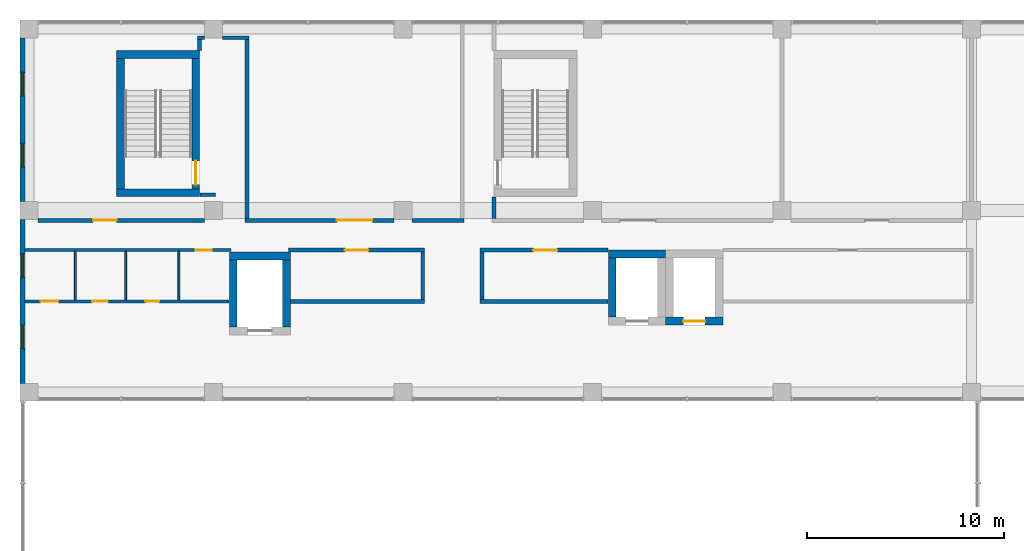
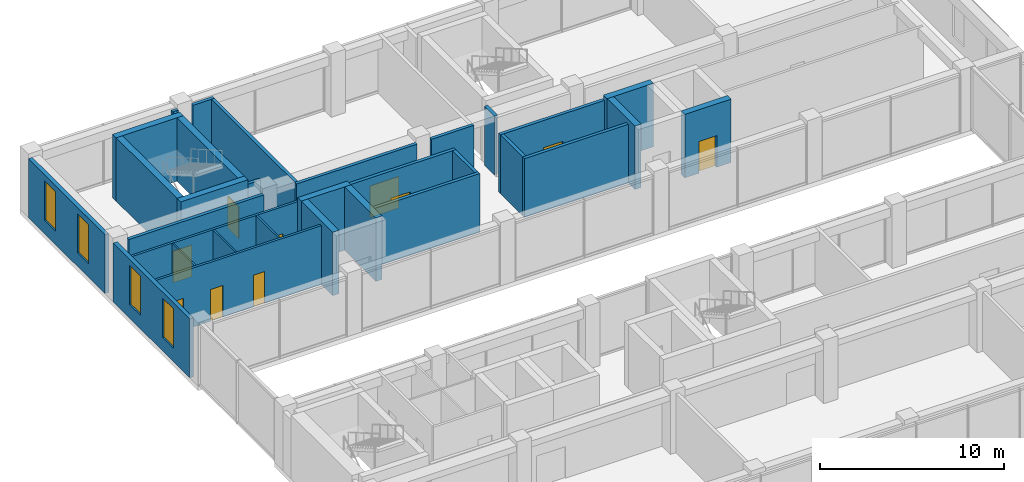
# One storey, part 29 of 37: 32 walls, 10 doors, 4 windows, 14 openings.
"""IFC4 building model written with IfcOpenShell, lengths in metres."""

from ifc_helpers import new_model, si_unit, direction, frame, frame_2d, origin, place, context, subcontext, project, spatial, rectangle, extrude, material, layer, layer_set, layer_usage, type_object, element, fill, save


model = new_model("IFC4")

# Units and contexts
model_context = context("Model", 3, precision=1e-05, world=origin(), true_north=direction((0.0, 1.0)))
body_context = subcontext(model_context, "Body", "Model", "MODEL_VIEW")
ifc_project = project(units=[si_unit("LENGTHUNIT", "METRE"), si_unit("AREAUNIT", "SQUARE_METRE"), si_unit("VOLUMEUNIT", "CUBIC_METRE"), si_unit("PLANEANGLEUNIT", "RADIAN"), si_unit("MASSUNIT", "GRAM", prefix="KILO")], contexts=[model_context])

# Site, building, storey
site_placement = place(None, origin())
site = spatial("IfcSite", under=ifc_project, at=site_placement, CompositionType="ELEMENT")
building_placement = place(site_placement, origin())
building = spatial("IfcBuilding", under=site, at=building_placement, Name="Nzadi Deep Aquarium and Research Tower", CompositionType="ELEMENT")
storey_placement = place(building_placement, frame((0.0, 0.0, 57.10009765625)))
storey = spatial("IfcBuildingStorey", under=building, at=storey_placement, Name="L11", CompositionType="ELEMENT", Elevation=57.10009765625)

# Wall, openings, windows
ifc_material_1 = material(Name="Concrete C35/45", Category="concrete")
ifc_layer_1 = layer(ifc_material_1, 0.14990234375, Category="cladding")
ifc_material_2 = material(Name="Mineral wool insulation")
ifc_layer_2 = layer(ifc_material_2, 0.070068359375, Category="insulation")
ifc_material_3 = material(Name="Gypsum board lining")
ifc_layer_3 = layer(ifc_material_3, 0.030029296875, Category="lining")
ifc_layer_set_1 = layer_set([ifc_layer_1, ifc_layer_2, ifc_layer_3], Name="Concrete C35/45, Mineral wool insulation, Gypsum board lining")
ifc_layer_usage_1 = layer_usage(ifc_layer_set_1, "AXIS2", "POSITIVE", -0.125)
wall_type_1 = type_object("IfcWallType", Name="End wall board-formed concrete 250", PredefinedType="ELEMENTEDWALL", material=ifc_layer_set_1)
wall_1_placement = place(storey_placement, frame((-0.074462890625, 45.550048828125, 0.0), z_axis=(0.0, 0.0, 1.0), x_axis=(0.0, -1.0, 0.0)))
wall_1 = element("IfcWall", 1, at=wall_1_placement, inside=storey, type_object=wall_type_1, material=ifc_layer_usage_1, Name="End wall blade B west L11", PredefinedType="ELEMENTEDWALL", context=body_context, shape_type="SweptSolid", body=[
    extrude(rectangle(XDim=8.300048828125, YDim=0.25, at=frame_2d((4.14990234375, 0.0))), origin(), (0.0, 0.0, 1.0), 3.89990234375),
])
opening_1_placement = place(wall_1_placement, frame((5.35009765625, 0.0, 0.89990234375)))
opening_1 = element("IfcOpeningElement", 2, at=opening_1_placement, cuts=wall_1, Name="Opening WN04", PredefinedType="OPENING", context=body_context, shape_type="SweptSolid", body=[
    extrude(rectangle(XDim=1.199951171875, YDim=2.60009765625, at=frame_2d((0.60009765625, 1.300048828125))), frame((0.0, 0.135009765625, 0.0), z_axis=(0.0, -1.0, 0.0), x_axis=(1.0, 0.0, 0.0)), (0.0, 0.0, 1.0), 0.27001953125),
])
opening_2_placement = place(wall_1_placement, frame((1.75, 0.0, 0.89990234375)))
opening_2 = element("IfcOpeningElement", 3, at=opening_2_placement, cuts=wall_1, Name="Opening WN04", PredefinedType="OPENING", context=body_context, shape_type="SweptSolid", body=[
    extrude(rectangle(XDim=1.199951171875, YDim=2.60009765625, at=frame_2d((0.60009765625, 1.300048828125))), frame((0.0, 0.135009765625, 0.0), z_axis=(0.0, -1.0, 0.0), x_axis=(1.0, 0.0, 0.0)), (0.0, 0.0, 1.0), 0.27001953125),
])
ifc_material_4 = material(Name="Aluminium window, sage tint glazing", Category="aluminium")
window_type = type_object("IfcWindowType", Name="Slot window 1200x2600 sill 900", PartitioningType="SINGLE_PANEL", PredefinedType="WINDOW", material=ifc_material_4)
window_1_placement = place(opening_1_placement, origin())
window_1 = element("IfcWindow", 4, at=window_1_placement, inside=storey, type_object=window_type, Name="Slot window L11 BW", OverallHeight=2.60009765625, OverallWidth=1.199951171875, PartitioningType="SINGLE_PANEL", PredefinedType="WINDOW", context=body_context, shape_type="SweptSolid", body=[
    extrude(rectangle(XDim=1.199951171875, YDim=2.60009765625, at=frame_2d((0.60009765625, 1.300048828125))), frame((0.0, 0.030029296875, 0.0), z_axis=(0.0, -1.0, 0.0), x_axis=(1.0, 0.0, 0.0)), (0.0, 0.0, 1.0), 0.06005859375),
])
fill(opening_1, window_1)
window_2_placement = place(opening_2_placement, origin())
window_2 = element("IfcWindow", 5, at=window_2_placement, inside=storey, type_object=window_type, Name="Slot window L11 BW", OverallHeight=2.60009765625, OverallWidth=1.199951171875, PartitioningType="SINGLE_PANEL", PredefinedType="WINDOW", context=body_context, shape_type="SweptSolid", body=[
    extrude(rectangle(XDim=1.199951171875, YDim=2.60009765625, at=frame_2d((0.60009765625, 1.300048828125))), frame((0.0, 0.030029296875, 0.0), z_axis=(0.0, -1.0, 0.0), x_axis=(1.0, 0.0, 0.0)), (0.0, 0.0, 1.0), 0.06005859375),
])
fill(opening_2, window_2)

ifc_material_5 = material(Name="Graphite aluminium shingle", Category="aluminium")
ifc_layer_4 = layer(ifc_material_5, 0.050048828125, Category="cladding")
ifc_layer_5 = layer(ifc_material_1, 0.10009765625, Category="cladding")
ifc_layer_6 = layer(ifc_material_2, 0.070068359375, Category="insulation")
ifc_layer_7 = layer(ifc_material_3, 0.030029296875, Category="lining")
ifc_layer_set_2 = layer_set([ifc_layer_4, ifc_layer_5, ifc_layer_6, ifc_layer_7], Name="Graphite aluminium shingle, Concrete C35/45, Mineral wool insulation, Gypsum board lining")
ifc_layer_usage_2 = layer_usage(ifc_layer_set_2, "AXIS2", "POSITIVE", -0.125)
wall_type_2 = type_object("IfcWallType", Name="End wall shingle over board-formed concrete 250", PredefinedType="ELEMENTEDWALL", material=ifc_layer_set_2)
wall_2_placement = place(storey_placement, frame((-0.074462890625, 36.35009765625, 0.0), z_axis=(0.0, 0.0, 1.0), x_axis=(0.0, -1.0, 0.0)))
wall_2 = element("IfcWall", 6, at=wall_2_placement, inside=storey, type_object=wall_type_2, material=ifc_layer_usage_2, Name="End wall blade B west L11", PredefinedType="ELEMENTEDWALL", context=body_context, shape_type="SweptSolid", body=[
    extrude(rectangle(XDim=8.300048828125, YDim=0.25, at=frame_2d((4.14990234375, 0.0))), origin(), (0.0, 0.0, 1.0), 3.89990234375),
])
opening_3_placement = place(wall_2_placement, frame((5.35009765625, 0.0, 0.89990234375)))
opening_3 = element("IfcOpeningElement", 7, at=opening_3_placement, cuts=wall_2, Name="Opening WN04", PredefinedType="OPENING", context=body_context, shape_type="SweptSolid", body=[
    extrude(rectangle(XDim=1.199951171875, YDim=2.60009765625, at=frame_2d((0.60009765625, 1.300048828125))), frame((0.0, 0.135009765625, 0.0), z_axis=(0.0, -1.0, 0.0), x_axis=(1.0, 0.0, 0.0)), (0.0, 0.0, 1.0), 0.27001953125),
])
opening_4_placement = place(wall_2_placement, frame((1.75, 0.0, 0.89990234375)))
opening_4 = element("IfcOpeningElement", 8, at=opening_4_placement, cuts=wall_2, Name="Opening WN04", PredefinedType="OPENING", context=body_context, shape_type="SweptSolid", body=[
    extrude(rectangle(XDim=1.199951171875, YDim=2.60009765625, at=frame_2d((0.60009765625, 1.300048828125))), frame((0.0, 0.135009765625, 0.0), z_axis=(0.0, -1.0, 0.0), x_axis=(1.0, 0.0, 0.0)), (0.0, 0.0, 1.0), 0.27001953125),
])
window_3_placement = place(opening_3_placement, origin())
window_3 = element("IfcWindow", 9, at=window_3_placement, inside=storey, type_object=window_type, Name="Slot window L11 BW", OverallHeight=2.60009765625, OverallWidth=1.199951171875, PartitioningType="SINGLE_PANEL", PredefinedType="WINDOW", context=body_context, shape_type="SweptSolid", body=[
    extrude(rectangle(XDim=1.199951171875, YDim=2.60009765625, at=frame_2d((0.60009765625, 1.300048828125))), frame((0.0, 0.030029296875, 0.0), z_axis=(0.0, -1.0, 0.0), x_axis=(1.0, 0.0, 0.0)), (0.0, 0.0, 1.0), 0.06005859375),
])
fill(opening_3, window_3)
window_4_placement = place(opening_4_placement, origin())
window_4 = element("IfcWindow", 10, at=window_4_placement, inside=storey, type_object=window_type, Name="Slot window L11 BW", OverallHeight=2.60009765625, OverallWidth=1.199951171875, PartitioningType="SINGLE_PANEL", PredefinedType="WINDOW", context=body_context, shape_type="SweptSolid", body=[
    extrude(rectangle(XDim=1.199951171875, YDim=2.60009765625, at=frame_2d((0.60009765625, 1.300048828125))), frame((0.0, 0.030029296875, 0.0), z_axis=(0.0, -1.0, 0.0), x_axis=(1.0, 0.0, 0.0)), (0.0, 0.0, 1.0), 0.06005859375),
])
fill(opening_4, window_4)

# Walls
ifc_material_6 = material(Name="Blockwork masonry", Category="masonry")
ifc_layer_8 = layer(ifc_material_6, 0.10009765625)
ifc_layer_set_3 = layer_set([ifc_layer_8], Name="Blockwork masonry")
wall_type_3 = type_object("IfcWallType", Name="Partition 100 EI 30", PredefinedType="PARTITIONING", material=ifc_layer_set_3)
for number, where, z_axis, x_axis, name in (
    (11, (2.60009765625, 32.27490234375, 0.0), (0.0, 0.0, 1.0), (0.0, 1.0, 0.0), "W-Z1-L11-P004"),
    (12, (5.14990234375, 32.27490234375, 0.0), (0.0, 0.0, 1.0), (0.0, 1.0, 0.0), "W-Z1-L11-P007"),
    (13, (7.85009765625, 32.27490234375, 0.0), (0.0, 0.0, 1.0), (0.0, 1.0, 0.0), "W-Z1-L11-P011"),
):
    element("IfcWall", number, at=place(storey_placement, frame(where, z_axis=z_axis, x_axis=x_axis)), inside=storey, type_object=wall_type_3, Name=name, PredefinedType="PARTITIONING", context=body_context, shape_type="SweptSolid", body=[
        extrude(rectangle(XDim=2.4501953125, YDim=0.10009765625, at=frame_2d((1.22509765625, 0.0))), origin(), (0.0, 0.0, 1.0), 3.89990234375),
    ])

# Wall, openings, doors
ifc_material_7 = material(Name="Blockwork masonry", Category="masonry")
ifc_layer_9 = layer(ifc_material_7, 0.14990234375)
ifc_layer_set_4 = layer_set([ifc_layer_9], Name="Blockwork masonry")
wall_type_4 = type_object("IfcWallType", Name="Partition 150 EI 60", PredefinedType="PARTITIONING", material=ifc_layer_set_4)
wall_3_placement = place(storey_placement, frame((0.055908203125, 32.199951171875, 0.0), z_axis=(0.0, 0.0, 1.0), x_axis=(1.0, 0.0, 0.0)))
wall_3 = element("IfcWall", 14, at=wall_3_placement, inside=storey, type_object=wall_type_4, Name="W-Z1-L11-P001", PredefinedType="PARTITIONING", context=body_context, shape_type="SweptSolid", body=[
    extrude(rectangle(XDim=10.338134765625, YDim=0.14990234375, at=frame_2d((5.1689453125, 0.0))), origin(), (0.0, 0.0, 1.0), 3.89990234375),
])
opening_5_placement = place(wall_3_placement, frame((0.7939453125, 0.0, 0.0)))
opening_5 = element("IfcOpeningElement", 15, at=opening_5_placement, cuts=wall_3, Name="Opening D121011", PredefinedType="OPENING", context=body_context, shape_type="SweptSolid", body=[
    extrude(rectangle(XDim=0.89990234375, YDim=2.10009765625, at=frame_2d((0.449951171875, 1.050048828125))), frame((0.0, 0.0849609375, 0.0), z_axis=(0.0, -1.0, 0.0), x_axis=(1.0, 0.0, 0.0)), (0.0, 0.0, 1.0), 0.169921875),
])
opening_6_placement = place(wall_3_placement, frame((3.39404296875, 0.0, 0.0)))
opening_6 = element("IfcOpeningElement", 16, at=opening_6_placement, cuts=wall_3, Name="Opening D121012", PredefinedType="OPENING", context=body_context, shape_type="SweptSolid", body=[
    extrude(rectangle(XDim=0.800048828125, YDim=2.10009765625, at=frame_2d((0.39990234375, 1.050048828125))), frame((0.0, 0.0849609375, 0.0), z_axis=(0.0, -1.0, 0.0), x_axis=(1.0, 0.0, 0.0)), (0.0, 0.0, 1.0), 0.169921875),
])
opening_7_placement = place(wall_3_placement, frame((6.093994140625, 0.0, 0.0)))
opening_7 = element("IfcOpeningElement", 17, at=opening_7_placement, cuts=wall_3, Name="Opening D121013", PredefinedType="OPENING", context=body_context, shape_type="SweptSolid", body=[
    extrude(rectangle(XDim=0.699951171875, YDim=2.10009765625, at=frame_2d((0.35009765625, 1.050048828125))), frame((0.0, 0.0849609375, 0.0), z_axis=(0.0, -1.0, 0.0), x_axis=(1.0, 0.0, 0.0)), (0.0, 0.0, 1.0), 0.169921875),
])
ifc_material_8 = material(Name="Fire-rated steel door", Category="steel")
ifc_layer_10 = layer(ifc_material_8, 0.050048828125)
ifc_layer_set_5 = layer_set([ifc_layer_10], Name="Fire-rated steel door")
door_type_1 = type_object("IfcDoorType", Name="Door 700x2100 EI 60 single", OperationType="SINGLE_SWING_LEFT", PredefinedType="DOOR", material=ifc_layer_set_5)
door_1_placement = place(opening_7_placement, origin())
door_1 = element("IfcDoor", 18, at=door_1_placement, inside=storey, type_object=door_type_1, Name="D121013", OperationType="SINGLE_SWING_RIGHT", OverallHeight=2.10009765625, OverallWidth=0.699951171875, PredefinedType="DOOR", context=body_context, shape_type="SweptSolid", body=[
    extrude(rectangle(XDim=0.699951171875, YDim=2.10009765625, at=frame_2d((0.35009765625, 1.050048828125))), frame((0.0, 0.02490234375, 0.0), z_axis=(0.0, -1.0, 0.0), x_axis=(1.0, 0.0, 0.0)), (0.0, 0.0, 1.0), 0.050048828125),
])
fill(opening_7, door_1)
ifc_material_9 = material(Name="Fire-rated steel door", Category="steel")
ifc_layer_11 = layer(ifc_material_9, 0.050048828125)
ifc_layer_set_6 = layer_set([ifc_layer_11], Name="Fire-rated steel door")
door_type_2 = type_object("IfcDoorType", Name="Door 800x2100 EI 60 single", OperationType="SINGLE_SWING_LEFT", PredefinedType="DOOR", material=ifc_layer_set_6)
door_2_placement = place(opening_6_placement, origin())
door_2 = element("IfcDoor", 19, at=door_2_placement, inside=storey, type_object=door_type_2, Name="D121012", OperationType="SINGLE_SWING_RIGHT", OverallHeight=2.10009765625, OverallWidth=0.800048828125, PredefinedType="DOOR", context=body_context, shape_type="SweptSolid", body=[
    extrude(rectangle(XDim=0.800048828125, YDim=2.10009765625, at=frame_2d((0.39990234375, 1.050048828125))), frame((0.0, 0.02490234375, 0.0), z_axis=(0.0, -1.0, 0.0), x_axis=(1.0, 0.0, 0.0)), (0.0, 0.0, 1.0), 0.050048828125),
])
fill(opening_6, door_2)
ifc_material_10 = material(Name="Fire-rated steel door", Category="steel")
ifc_layer_12 = layer(ifc_material_10, 0.050048828125)
ifc_layer_set_7 = layer_set([ifc_layer_12], Name="Fire-rated steel door")
door_type_3 = type_object("IfcDoorType", Name="Door 900x2100 EI 60 single", OperationType="SINGLE_SWING_LEFT", PredefinedType="DOOR", material=ifc_layer_set_7)
door_3_placement = place(opening_5_placement, origin())
door_3 = element("IfcDoor", 20, at=door_3_placement, inside=storey, type_object=door_type_3, Name="D121011", OperationType="SINGLE_SWING_RIGHT", OverallHeight=2.10009765625, OverallWidth=0.89990234375, PredefinedType="DOOR", context=body_context, shape_type="SweptSolid", body=[
    extrude(rectangle(XDim=0.89990234375, YDim=2.10009765625, at=frame_2d((0.449951171875, 1.050048828125))), frame((0.0, 0.02490234375, 0.0), z_axis=(0.0, -1.0, 0.0), x_axis=(1.0, 0.0, 0.0)), (0.0, 0.0, 1.0), 0.050048828125),
])
fill(opening_5, door_3)

# Wall, opening, door
wall_4_placement = place(storey_placement, frame((0.055908203125, 34.800048828125, 0.0), z_axis=(0.0, 0.0, 1.0), x_axis=(1.0, 0.0, 0.0)))
wall_4 = element("IfcWall", 21, at=wall_4_placement, inside=storey, type_object=wall_type_4, Name="W-Z1-L11-P002", PredefinedType="PARTITIONING", context=body_context, shape_type="SweptSolid", body=[
    extrude(rectangle(XDim=10.419189453125, YDim=0.14990234375, at=frame_2d((5.20947265625, 0.0))), origin(), (0.0, 0.0, 1.0), 3.89990234375),
])
opening_8_placement = place(wall_4_placement, frame((8.64404296875, 0.0, 0.0)))
opening_8 = element("IfcOpeningElement", 22, at=opening_8_placement, cuts=wall_4, Name="Opening D121014", PredefinedType="OPENING", context=body_context, shape_type="SweptSolid", body=[
    extrude(rectangle(XDim=0.800048828125, YDim=2.10009765625, at=frame_2d((0.39990234375, 1.050048828125))), frame((0.0, 0.0849609375, 0.0), z_axis=(0.0, -1.0, 0.0), x_axis=(1.0, 0.0, 0.0)), (0.0, 0.0, 1.0), 0.169921875),
])
door_4_placement = place(opening_8_placement, origin())
door_4 = element("IfcDoor", 23, at=door_4_placement, inside=storey, type_object=door_type_2, Name="D121014", OperationType="SINGLE_SWING_LEFT", OverallHeight=2.10009765625, OverallWidth=0.800048828125, PredefinedType="DOOR", context=body_context, shape_type="SweptSolid", body=[
    extrude(rectangle(XDim=0.800048828125, YDim=2.10009765625, at=frame_2d((0.39990234375, 1.050048828125))), frame((0.0, 0.02490234375, 0.0), z_axis=(0.0, -1.0, 0.0), x_axis=(1.0, 0.0, 0.0)), (0.0, 0.0, 1.0), 0.050048828125),
])
fill(opening_8, door_4)

ifc_material_11 = material(Name="Blockwork masonry", Category="masonry")
ifc_layer_13 = layer(ifc_material_11, 0.199951171875)
ifc_layer_set_8 = layer_set([ifc_layer_13], Name="Blockwork masonry")
wall_type_5 = type_object("IfcWallType", Name="Partition 200 EI 120", PredefinedType="PARTITIONING", material=ifc_layer_set_8)
wall_5_placement = place(storey_placement, frame((0.699951171875, 36.300048828125, 0.0), z_axis=(0.0, 0.0, 1.0), x_axis=(1.0, 0.0, 0.0)))
wall_5 = element("IfcWall", 24, at=wall_5_placement, inside=storey, type_object=wall_type_5, Name="W-Z1-L11-P003", PredefinedType="PARTITIONING", context=body_context, shape_type="SweptSolid", body=[
    extrude(rectangle(XDim=8.449951171875, YDim=0.199951171875, at=frame_2d((4.22509765625, 0.0))), origin(), (0.0, 0.0, 1.0), 3.89990234375),
])
opening_9_placement = place(wall_5_placement, frame((2.800048828125, 0.0, 0.0)))
opening_9 = element("IfcOpeningElement", 25, at=opening_9_placement, cuts=wall_5, Name="Opening D121018", PredefinedType="OPENING", context=body_context, shape_type="SweptSolid", body=[
    extrude(rectangle(XDim=1.199951171875, YDim=2.10009765625, at=frame_2d((0.60009765625, 1.050048828125))), frame((0.0, 0.110107421875, 0.0), z_axis=(0.0, -1.0, 0.0), x_axis=(1.0, 0.0, 0.0)), (0.0, 0.0, 1.0), 0.22021484375),
])
ifc_material_12 = material(Name="Fire-rated steel door", Category="steel")
ifc_layer_14 = layer(ifc_material_12, 0.050048828125)
ifc_layer_set_9 = layer_set([ifc_layer_14], Name="Fire-rated steel door")
door_type_4 = type_object("IfcDoorType", Name="Door 1200x2100 EI 120 single", OperationType="SINGLE_SWING_LEFT", PredefinedType="DOOR", material=ifc_layer_set_9)
door_5_placement = place(opening_9_placement, origin())
door_5 = element("IfcDoor", 26, at=door_5_placement, inside=storey, type_object=door_type_4, Name="D121018", OperationType="SINGLE_SWING_RIGHT", OverallHeight=2.10009765625, OverallWidth=1.199951171875, PredefinedType="DOOR", context=body_context, shape_type="SweptSolid", body=[
    extrude(rectangle(XDim=1.199951171875, YDim=2.10009765625, at=frame_2d((0.60009765625, 1.050048828125))), frame((0.0, 0.02490234375, 0.0), z_axis=(0.0, -1.0, 0.0), x_axis=(1.0, 0.0, 0.0)), (0.0, 0.0, 1.0), 0.050048828125),
])
fill(opening_9, door_5)

# Walls
wall_6_placement = place(storey_placement, frame((8.89990234375, 44.906005859375, 0.0), z_axis=(0.0, 0.0, 1.0), x_axis=(0.0, 1.0, 0.0)))
element("IfcWall", 27, at=wall_6_placement, inside=storey, type_object=wall_type_5, Name="W-Z1-L11-P014", PredefinedType="PARTITIONING", context=body_context, shape_type="SweptSolid", body=[
    extrude(rectangle(XDim=0.5439453125, YDim=0.199951171875, at=frame_2d((0.27197265625, 0.0))), origin(), (0.0, 0.0, 1.0), 3.89990234375),
])
wall_7_placement = place(storey_placement, frame((8.800048828125, 45.550048828125, 0.0), z_axis=(0.0, 0.0, 1.0), x_axis=(1.0, 0.0, 0.0)))
element("IfcWall", 28, at=wall_7_placement, inside=storey, type_object=wall_type_5, Name="W-Z1-L11-P015", PredefinedType="PARTITIONING", context=body_context, shape_type="SweptSolid", body=[
    extrude(rectangle(XDim=0.349853515625, YDim=0.199951171875, at=frame_2d((0.1748046875, 0.0))), origin(), (0.0, 0.0, 1.0), 3.89990234375),
])
wall_8_placement = place(storey_placement, frame((8.906005859375, 37.60009765625, 0.0), z_axis=(0.0, 0.0, 1.0), x_axis=(1.0, 0.0, 0.0)))
element("IfcWall", 29, at=wall_8_placement, inside=storey, type_object=wall_type_5, Name="W-Z1-L11-P016", PredefinedType="PARTITIONING", context=body_context, shape_type="SweptSolid", body=[
    extrude(rectangle(XDim=0.7939453125, YDim=0.199951171875, at=frame_2d((0.39697265625, 0.0))), origin(), (0.0, 0.0, 1.0), 3.89990234375),
])
wall_9_placement = place(storey_placement, frame((10.050048828125, 45.550048828125, 0.0), z_axis=(0.0, 0.0, 1.0), x_axis=(1.0, 0.0, 0.0)))
element("IfcWall", 30, at=wall_9_placement, inside=storey, type_object=wall_type_5, Name="W-Z1-L11-P017", PredefinedType="PARTITIONING", context=body_context, shape_type="SweptSolid", body=[
    extrude(rectangle(XDim=1.349853515625, YDim=0.199951171875, at=frame_2d((0.6748046875, 0.0))), origin(), (0.0, 0.0, 1.0), 3.89990234375),
])

# Wall, opening, door
wall_10_placement = place(storey_placement, frame((11.199951171875, 36.300048828125, 0.0), z_axis=(0.0, 0.0, 1.0), x_axis=(1.0, 0.0, 0.0)))
wall_10 = element("IfcWall", 31, at=wall_10_placement, inside=storey, type_object=wall_type_5, Name="W-Z1-L11-P019", PredefinedType="PARTITIONING", context=body_context, shape_type="SweptSolid", body=[
    extrude(rectangle(XDim=7.550048828125, YDim=0.199951171875, at=frame_2d((3.77490234375, 0.0))), origin(), (0.0, 0.0, 1.0), 3.89990234375),
])
opening_10_placement = place(wall_10_placement, frame((4.64990234375, 0.0, 0.0)))
opening_10 = element("IfcOpeningElement", 32, at=opening_10_placement, cuts=wall_10, Name="Opening D121019", PredefinedType="OPENING", context=body_context, shape_type="SweptSolid", body=[
    extrude(rectangle(XDim=1.800048828125, YDim=2.10009765625, at=frame_2d((0.89990234375, 1.050048828125))), frame((0.0, 0.110107421875, 0.0), z_axis=(0.0, -1.0, 0.0), x_axis=(1.0, 0.0, 0.0)), (0.0, 0.0, 1.0), 0.22021484375),
])
ifc_material_13 = material(Name="Fire-rated steel door", Category="steel")
ifc_layer_15 = layer(ifc_material_13, 0.050048828125)
ifc_layer_set_10 = layer_set([ifc_layer_15], Name="Fire-rated steel door")
door_type_5 = type_object("IfcDoorType", Name="Door 1800x2100 EI 120 double", OperationType="DOUBLE_DOOR_SINGLE_SWING", PredefinedType="DOOR", material=ifc_layer_set_10)
door_6_placement = place(opening_10_placement, origin())
door_6 = element("IfcDoor", 33, at=door_6_placement, inside=storey, type_object=door_type_5, Name="D121019", OperationType="DOUBLE_DOOR_SINGLE_SWING", OverallHeight=2.10009765625, OverallWidth=1.800048828125, PredefinedType="DOOR", context=body_context, shape_type="SweptSolid", body=[
    extrude(rectangle(XDim=1.800048828125, YDim=2.10009765625, at=frame_2d((0.89990234375, 1.050048828125))), frame((0.0, 0.02490234375, 0.0), z_axis=(0.0, -1.0, 0.0), x_axis=(1.0, 0.0, 0.0)), (0.0, 0.0, 1.0), 0.050048828125),
])
fill(opening_10, door_6)

# Wall
wall_11_placement = place(storey_placement, frame((11.300048828125, 36.39990234375, 0.0), z_axis=(0.0, 0.0, 1.0), x_axis=(0.0, 1.0, 0.0)))
element("IfcWall", 34, at=wall_11_placement, inside=storey, type_object=wall_type_5, Name="W-Z1-L11-P020", PredefinedType="PARTITIONING", context=body_context, shape_type="SweptSolid", body=[
    extrude(rectangle(XDim=9.050048828125, YDim=0.199951171875, at=frame_2d((4.52490234375, 0.0))), origin(), (0.0, 0.0, 1.0), 3.89990234375),
])

# Wall, opening, door
wall_12_placement = place(storey_placement, frame((13.39990234375, 34.800048828125, 0.0), z_axis=(0.0, 0.0, 1.0), x_axis=(1.0, 0.0, 0.0)))
wall_12 = element("IfcWall", 35, at=wall_12_placement, inside=storey, type_object=wall_type_5, Name="W-Z1-L11-P021", PredefinedType="PARTITIONING", context=body_context, shape_type="SweptSolid", body=[
    extrude(rectangle(XDim=6.900146484375, YDim=0.199951171875, at=frame_2d((3.4501953125, 0.0))), origin(), (0.0, 0.0, 1.0), 3.89990234375),
])
opening_11_placement = place(wall_12_placement, frame((2.85009765625, 0.0, 0.0)))
opening_11 = element("IfcOpeningElement", 36, at=opening_11_placement, cuts=wall_12, Name="Opening D121015", PredefinedType="OPENING", context=body_context, shape_type="SweptSolid", body=[
    extrude(rectangle(XDim=1.199951171875, YDim=2.10009765625, at=frame_2d((0.60009765625, 1.050048828125))), frame((0.0, 0.110107421875, 0.0), z_axis=(0.0, -1.0, 0.0), x_axis=(1.0, 0.0, 0.0)), (0.0, 0.0, 1.0), 0.22021484375),
])
door_7_placement = place(opening_11_placement, origin())
door_7 = element("IfcDoor", 37, at=door_7_placement, inside=storey, type_object=door_type_4, Name="D121015", OperationType="SINGLE_SWING_RIGHT", OverallHeight=2.10009765625, OverallWidth=1.199951171875, PredefinedType="DOOR", context=body_context, shape_type="SweptSolid", body=[
    extrude(rectangle(XDim=1.199951171875, YDim=2.10009765625, at=frame_2d((0.60009765625, 1.050048828125))), frame((0.0, 0.02490234375, 0.0), z_axis=(0.0, -1.0, 0.0), x_axis=(1.0, 0.0, 0.0)), (0.0, 0.0, 1.0), 0.050048828125),
])
fill(opening_11, door_7)

# Walls
wall_13_placement = place(storey_placement, frame((13.506103515625, 32.199951171875, 0.0), z_axis=(0.0, 0.0, 1.0), x_axis=(1.0, 0.0, 0.0)))
element("IfcWall", 38, at=wall_13_placement, inside=storey, type_object=wall_type_5, Name="W-Z1-L11-P022", PredefinedType="PARTITIONING", context=body_context, shape_type="SweptSolid", body=[
    extrude(rectangle(XDim=6.7939453125, YDim=0.199951171875, at=frame_2d((3.39697265625, 0.0))), origin(), (0.0, 0.0, 1.0), 3.89990234375),
])
wall_14_placement = place(storey_placement, frame((19.64990234375, 36.300048828125, 0.0), z_axis=(0.0, 0.0, 1.0), x_axis=(1.0, 0.0, 0.0)))
element("IfcWall", 39, at=wall_14_placement, inside=storey, type_object=wall_type_5, Name="W-Z1-L11-P024", PredefinedType="PARTITIONING", context=body_context, shape_type="SweptSolid", body=[
    extrude(rectangle(XDim=2.650146484375, YDim=0.199951171875, at=frame_2d((1.3251953125, 0.0))), origin(), (0.0, 0.0, 1.0), 3.89990234375),
])
wall_15_placement = place(storey_placement, frame((20.199951171875, 32.300048828125, 0.0), z_axis=(0.0, 0.0, 1.0), x_axis=(0.0, 1.0, 0.0)))
element("IfcWall", 40, at=wall_15_placement, inside=storey, type_object=wall_type_5, Name="W-Z1-L11-P025", PredefinedType="PARTITIONING", context=body_context, shape_type="SweptSolid", body=[
    extrude(rectangle(XDim=2.39990234375, YDim=0.199951171875, at=frame_2d((1.199951171875, 0.0))), origin(), (0.0, 0.0, 1.0), 3.89990234375),
])
wall_16_placement = place(storey_placement, frame((23.10009765625, 32.199951171875, 0.0), z_axis=(0.0, 0.0, 1.0), x_axis=(1.0, 0.0, 0.0)))
element("IfcWall", 41, at=wall_16_placement, inside=storey, type_object=wall_type_5, Name="W-Z1-L11-P027", PredefinedType="PARTITIONING", context=body_context, shape_type="SweptSolid", body=[
    extrude(rectangle(XDim=6.493896484375, YDim=0.199951171875, at=frame_2d((3.2470703125, 0.0))), origin(), (0.0, 0.0, 1.0), 3.89990234375),
])
wall_17_placement = place(storey_placement, frame((23.199951171875, 32.300048828125, 0.0), z_axis=(0.0, 0.0, 1.0), x_axis=(0.0, 1.0, 0.0)))
element("IfcWall", 42, at=wall_17_placement, inside=storey, type_object=wall_type_5, Name="W-Z1-L11-P028", PredefinedType="PARTITIONING", context=body_context, shape_type="SweptSolid", body=[
    extrude(rectangle(XDim=2.39990234375, YDim=0.199951171875, at=frame_2d((1.199951171875, 0.0))), origin(), (0.0, 0.0, 1.0), 3.89990234375),
])

# Wall, opening, door
wall_18_placement = place(storey_placement, frame((23.10009765625, 34.800048828125, 0.0), z_axis=(0.0, 0.0, 1.0), x_axis=(1.0, 0.0, 0.0)))
wall_18 = element("IfcWall", 43, at=wall_18_placement, inside=storey, type_object=wall_type_5, Name="W-Z1-L11-P029", PredefinedType="PARTITIONING", context=body_context, shape_type="SweptSolid", body=[
    extrude(rectangle(XDim=6.493896484375, YDim=0.199951171875, at=frame_2d((3.2470703125, 0.0))), origin(), (0.0, 0.0, 1.0), 3.89990234375),
])
opening_12_placement = place(wall_18_placement, frame((2.699951171875, 0.0, 0.0)))
opening_12 = element("IfcOpeningElement", 44, at=opening_12_placement, cuts=wall_18, Name="Opening D121016", PredefinedType="OPENING", context=body_context, shape_type="SweptSolid", body=[
    extrude(rectangle(XDim=1.199951171875, YDim=2.10009765625, at=frame_2d((0.60009765625, 1.050048828125))), frame((0.0, 0.110107421875, 0.0), z_axis=(0.0, -1.0, 0.0), x_axis=(1.0, 0.0, 0.0)), (0.0, 0.0, 1.0), 0.22021484375),
])
door_8_placement = place(opening_12_placement, origin())
door_8 = element("IfcDoor", 45, at=door_8_placement, inside=storey, type_object=door_type_4, Name="D121016", OperationType="SINGLE_SWING_LEFT", OverallHeight=2.10009765625, OverallWidth=1.199951171875, PredefinedType="DOOR", context=body_context, shape_type="SweptSolid", body=[
    extrude(rectangle(XDim=1.199951171875, YDim=2.10009765625, at=frame_2d((0.60009765625, 1.050048828125))), frame((0.0, 0.02490234375, 0.0), z_axis=(0.0, -1.0, 0.0), x_axis=(1.0, 0.0, 0.0)), (0.0, 0.0, 1.0), 0.050048828125),
])
fill(opening_12, door_8)

# Walls
wall_19_placement = place(storey_placement, frame((23.800048828125, 36.39990234375, 0.0), z_axis=(0.0, 0.0, 1.0), x_axis=(0.0, 1.0, 0.0)))
element("IfcWall", 46, at=wall_19_placement, inside=storey, type_object=wall_type_5, Name="W-Z1-L11-P031", PredefinedType="PARTITIONING", context=body_context, shape_type="SweptSolid", body=[
    extrude(rectangle(XDim=1.093994140625, YDim=0.199951171875, at=frame_2d((0.546875, 0.0))), origin(), (0.0, 0.0, 1.0), 3.89990234375),
])
ifc_material_14 = material(Name="Concrete C35/45", Category="concrete")
ifc_layer_16 = layer(ifc_material_14, 0.39990234375)
ifc_layer_set_11 = layer_set([ifc_layer_16], Name="Concrete C35/45")
wall_type_6 = type_object("IfcWallType", Name="RC core wall 400", PredefinedType="SHEAR", material=ifc_layer_set_11)
for number, where, z_axis, x_axis, name in (
    (47, (4.699951171875, 37.699951171875, 0.0), (0.0, 0.0, 1.0), (1.0, 0.0, 0.0), "W-CORE-ST-Z1-NW-L11-S"),
    (48, (4.699951171875, 44.699951171875, 0.0), (0.0, 0.0, 1.0), (1.0, 0.0, 0.0), "W-CORE-ST-Z1-NW-L11-N"),
):
    element("IfcWall", number, at=place(storey_placement, frame(where, z_axis=z_axis, x_axis=x_axis)), inside=storey, type_object=wall_type_6, Name=name, PredefinedType="SHEAR", context=body_context, shape_type="SweptSolid", body=[
        extrude(rectangle(XDim=4.199951171875, YDim=0.39990234375, at=frame_2d((2.10009765625, 0.0))), origin(), (0.0, 0.0, 1.0), 4.199951171875),
    ])
wall_20_placement = place(storey_placement, frame((4.89990234375, 37.89990234375, 0.0), z_axis=(0.0, 0.0, 1.0), x_axis=(0.0, 1.0, 0.0)))
element("IfcWall", 49, at=wall_20_placement, inside=storey, type_object=wall_type_6, Name="W-CORE-ST-Z1-NW-L11-W", PredefinedType="SHEAR", context=body_context, shape_type="SweptSolid", body=[
    extrude(rectangle(XDim=6.60009765625, YDim=0.39990234375, at=frame_2d((3.300048828125, 0.0))), origin(), (0.0, 0.0, 1.0), 4.199951171875),
])

# Wall, opening, door
wall_21_placement = place(storey_placement, frame((8.699951171875, 37.89990234375, 0.0), z_axis=(0.0, 0.0, 1.0), x_axis=(0.0, 1.0, 0.0)))
wall_21 = element("IfcWall", 50, at=wall_21_placement, inside=storey, type_object=wall_type_6, Name="W-CORE-ST-Z1-NW-L11-E", PredefinedType="SHEAR", context=body_context, shape_type="SweptSolid", body=[
    extrude(rectangle(XDim=6.60009765625, YDim=0.39990234375, at=frame_2d((3.300048828125, 0.0))), origin(), (0.0, 0.0, 1.0), 4.199951171875),
])
opening_13_placement = place(wall_21_placement, frame((0.2099609375, 0.0, 0.0)))
opening_13 = element("IfcOpeningElement", 51, at=opening_13_placement, cuts=wall_21, Name="Opening DS-Z1-NW-L11", PredefinedType="OPENING", context=body_context, shape_type="SweptSolid", body=[
    extrude(rectangle(XDim=1.199951171875, YDim=2.10009765625, at=frame_2d((0.60009765625, 1.050048828125))), frame((0.0, 0.2099609375, 0.0), z_axis=(0.0, -1.0, 0.0), x_axis=(1.0, 0.0, 0.0)), (0.0, 0.0, 1.0), 0.419921875),
])
ifc_material_15 = material(Name="Steel, powder coated", Category="steel")
door_type_6 = type_object("IfcDoorType", Name="STAIR DOOR 1200x2100 EI 60", OperationType="SINGLE_SWING_LEFT", PredefinedType="DOOR", material=ifc_material_15)
door_9_placement = place(opening_13_placement, origin())
door_9 = element("IfcDoor", 52, at=door_9_placement, inside=storey, type_object=door_type_6, Name="Stair door ST-Z1-NW L11", OperationType="SINGLE_SWING_RIGHT", OverallHeight=2.10009765625, OverallWidth=1.199951171875, PredefinedType="DOOR", context=body_context, shape_type="SweptSolid", body=[
    extrude(rectangle(XDim=1.199951171875, YDim=2.10009765625, at=frame_2d((0.60009765625, 1.050048828125))), frame((0.0, 0.02490234375, 0.0), z_axis=(0.0, -1.0, 0.0), x_axis=(1.0, 0.0, 0.0)), (0.0, 0.0, 1.0), 0.050048828125),
])
fill(opening_13, door_9)

# Walls
wall_22_placement = place(storey_placement, frame((10.39990234375, 34.5, 0.0), z_axis=(0.0, 0.0, 1.0), x_axis=(1.0, 0.0, 0.0)))
element("IfcWall", 53, at=wall_22_placement, inside=storey, type_object=wall_type_6, Name="W-CORE-FL2-L11-N", PredefinedType="SHEAR", context=body_context, shape_type="SweptSolid", body=[
    extrude(rectangle(XDim=3.10009765625, YDim=0.39990234375, at=frame_2d((1.550048828125, 0.0))), origin(), (0.0, 0.0, 1.0), 4.199951171875),
])
for number, where, z_axis, x_axis, name in (
    (54, (10.60009765625, 30.89990234375, 0.0), (0.0, 0.0, 1.0), (0.0, 1.0, 0.0), "W-CORE-FL2-L11-W"),
    (55, (13.300048828125, 30.89990234375, 0.0), (0.0, 0.0, 1.0), (0.0, 1.0, 0.0), "W-CORE-FL2-L11-E"),
):
    element("IfcWall", number, at=place(storey_placement, frame(where, z_axis=z_axis, x_axis=x_axis)), inside=storey, type_object=wall_type_6, Name=name, PredefinedType="SHEAR", context=body_context, shape_type="SweptSolid", body=[
        extrude(rectangle(XDim=3.400146484375, YDim=0.39990234375, at=frame_2d((1.7001953125, 0.0))), origin(), (0.0, 0.0, 1.0), 4.199951171875),
    ])
wall_23_placement = place(storey_placement, frame((29.60009765625, 34.60009765625, 0.0), z_axis=(0.0, 0.0, 1.0), x_axis=(1.0, 0.0, 0.0)))
element("IfcWall", 56, at=wall_23_placement, inside=storey, type_object=wall_type_6, Name="W-CORE-TL3-L11-N", PredefinedType="SHEAR", context=body_context, shape_type="SweptSolid", body=[
    extrude(rectangle(XDim=2.89990234375, YDim=0.39990234375, at=frame_2d((1.449951171875, 0.0))), origin(), (0.0, 0.0, 1.0), 4.199951171875),
])
wall_24_placement = place(storey_placement, frame((29.800048828125, 31.39990234375, 0.0), z_axis=(0.0, 0.0, 1.0), x_axis=(0.0, 1.0, 0.0)))
element("IfcWall", 57, at=wall_24_placement, inside=storey, type_object=wall_type_6, Name="W-CORE-TL3-L11-W", PredefinedType="SHEAR", context=body_context, shape_type="SweptSolid", body=[
    extrude(rectangle(XDim=3.0, YDim=0.39990234375, at=frame_2d((1.5, 0.0))), origin(), (0.0, 0.0, 1.0), 4.199951171875),
])

# Wall, opening, door
wall_25_placement = place(storey_placement, frame((32.5, 31.199951171875, 0.0), z_axis=(0.0, 0.0, 1.0), x_axis=(1.0, 0.0, 0.0)))
wall_25 = element("IfcWall", 58, at=wall_25_placement, inside=storey, type_object=wall_type_6, Name="W-CORE-TL4-L11-S", PredefinedType="SHEAR", context=body_context, shape_type="SweptSolid", body=[
    extrude(rectangle(XDim=2.89990234375, YDim=0.39990234375, at=frame_2d((1.449951171875, 0.0))), origin(), (0.0, 0.0, 1.0), 4.199951171875),
])
opening_14_placement = place(wall_25_placement, frame((0.89990234375, 0.0, 0.0)))
opening_14 = element("IfcOpeningElement", 59, at=opening_14_placement, cuts=wall_25, Name="Opening LD-TL4-L11", PredefinedType="OPENING", context=body_context, shape_type="SweptSolid", body=[
    extrude(rectangle(XDim=1.10009765625, YDim=2.10009765625, at=frame_2d((0.550048828125, 1.050048828125))), frame((0.0, 0.2099609375, 0.0), z_axis=(0.0, -1.0, 0.0), x_axis=(1.0, 0.0, 0.0)), (0.0, 0.0, 1.0), 0.419921875),
])
ifc_material_16 = material(Name="Stainless steel 1.4301", Category="steel")
door_type_7 = type_object("IfcDoorType", Name="LANDING DOOR 1100x2100", OperationType="DOUBLE_DOOR_SLIDING", PredefinedType="DOOR", material=ifc_material_16)
door_10_placement = place(opening_14_placement, origin())
door_10 = element("IfcDoor", 60, at=door_10_placement, inside=storey, type_object=door_type_7, Name="Landing door TL4 L11", OperationType="DOUBLE_DOOR_SLIDING", OverallHeight=2.10009765625, OverallWidth=1.10009765625, PredefinedType="DOOR", context=body_context, shape_type="SweptSolid", body=[
    extrude(rectangle(XDim=1.10009765625, YDim=2.10009765625, at=frame_2d((0.550048828125, 1.050048828125))), frame((0.0, 0.02490234375, 0.0), z_axis=(0.0, -1.0, 0.0), x_axis=(1.0, 0.0, 0.0)), (0.0, 0.0, 1.0), 0.050048828125),
])
fill(opening_14, door_10)

save(model, "model.ifc")
